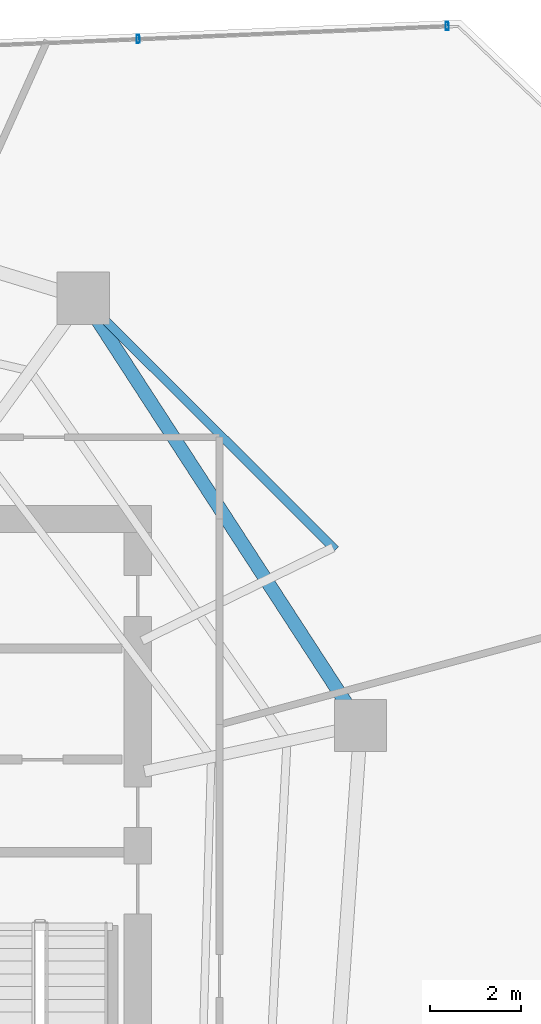
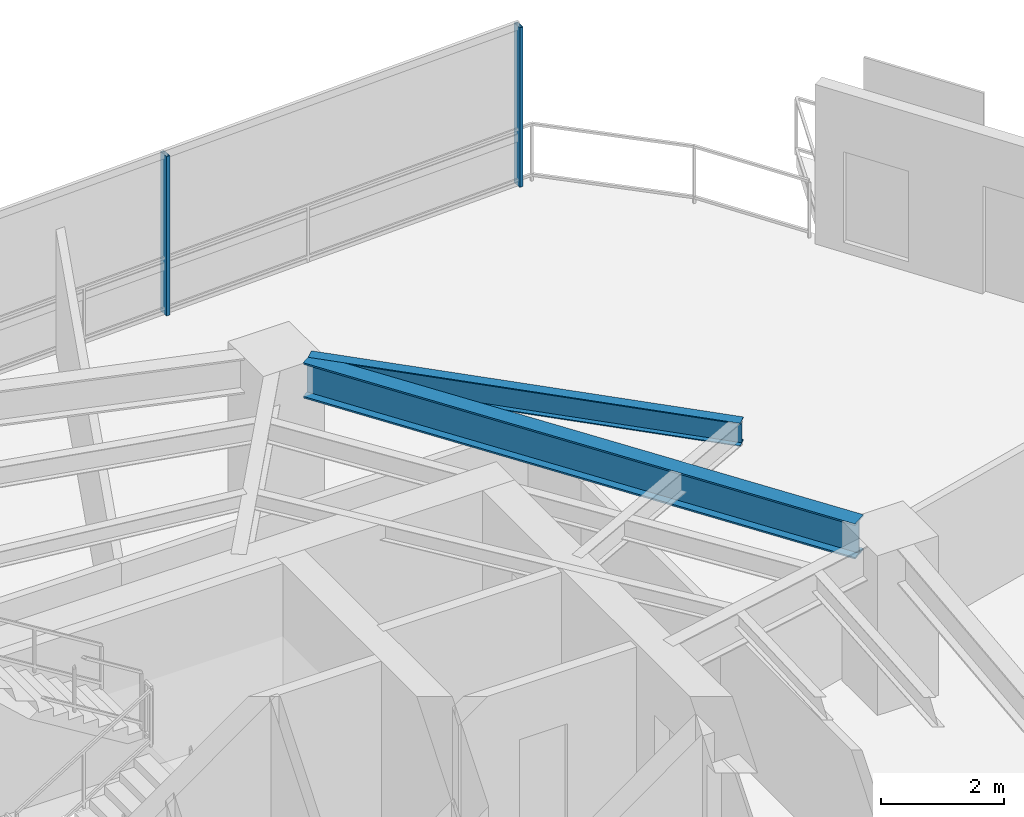
# One storey, part 19 of 25: 2 beams, 2 members, 1 element without a shape of its own.
"""IFC4 building model written with IfcOpenShell, lengths in metres."""

from ifc_helpers import new_model, si_unit, direction, frame, origin, origin_2d, place, context, subcontext, project, spatial, hollow_rectangle, i_section, extrude, material, layer, layer_set, material_profile, profile_set, type_object, element, aggregate, save


model = new_model("IFC4")

# Units and contexts
model_context = context("Model", 3, precision=1e-05, world=origin(), true_north=direction((0.0, 1.0)))
body_context = subcontext(model_context, "Body", "Model", "MODEL_VIEW")
ifc_project = project(units=[si_unit("LENGTHUNIT", "METRE"), si_unit("AREAUNIT", "SQUARE_METRE"), si_unit("VOLUMEUNIT", "CUBIC_METRE"), si_unit("PLANEANGLEUNIT", "RADIAN"), si_unit("MASSUNIT", "GRAM", prefix="KILO")], contexts=[model_context])

# Site, building, storey
site_placement = place(None, origin())
site = spatial("IfcSite", under=ifc_project, at=site_placement, CompositionType="ELEMENT")
building_placement = place(site_placement, origin())
building = spatial("IfcBuilding", under=site, at=building_placement, Name="Qarnah Convention Tower", CompositionType="ELEMENT")
storey_placement = place(building_placement, frame((0.0, 0.0, 76.35009765625)))
storey = spatial("IfcBuildingStorey", under=building, at=storey_placement, Name="L19", CompositionType="ELEMENT", Elevation=76.35009765625)

# Beams
ifc_material_1 = material(Name="Structural steel S355JR", Category="steel")
ifc_material_profile_1 = material_profile(ifc_material_1, i_section(OverallWidth=0.19189453125, OverallDepth=0.464111328125, WebThickness=0.010986328125, FlangeThickness=0.01806640625, at=origin_2d()), Name="W460X89")
ifc_profile_set_1 = profile_set([ifc_material_profile_1], Name="Structural steel S355JR")
beam_type_1 = type_object("IfcBeamType", Name="BM-CANT-W460A", PredefinedType="BEAM", material=ifc_profile_set_1)
beam_1_placement = place(storey_placement, frame((51.952880859375, 33.52099609375, 2.93798828125), z_axis=(-0.707978220507, 0.706234266577, 0.0), x_axis=(-0.706234266577, -0.707978220507, 0.0)))
element("IfcBeam", 1, at=beam_1_placement, inside=storey, type_object=beam_type_1, Name="L19 spandrel BM-L19-CTIE-01", PredefinedType="SPANDREL", context=body_context, shape_type="SweptSolid", body=[
    extrude(i_section(OverallWidth=0.19189453125, OverallDepth=0.464111328125, WebThickness=0.010986328125, FlangeThickness=0.01806640625, at=origin_2d()), origin(), (0.0, 0.0, 1.0), 7.279541015625),
])
ifc_material_profile_2 = material_profile(ifc_material_1, i_section(OverallWidth=0.300048828125, OverallDepth=0.699951171875, WebThickness=0.01708984375, FlangeThickness=0.031982421875, at=origin_2d()), Name="HEB700")
ifc_profile_set_2 = profile_set([ifc_material_profile_2], Name="Structural steel S355JR")
beam_type_2 = type_object("IfcBeamType", Name="BM-RING-HEB700", PredefinedType="BEAM", material=ifc_profile_set_2)
beam_2_placement = place(storey_placement, frame((52.199951171875, 30.1279296875, 2.81982421875), z_axis=(-0.544610528714, 0.838689079465, 0.0), x_axis=(-0.838689079465, -0.544610528714, 0.0)))
element("IfcBeam", 2, at=beam_2_placement, inside=storey, type_object=beam_type_2, Name="L19 beam BM-L19-SPN-01", PredefinedType="BEAM", context=body_context, shape_type="SweptSolid", body=[
    extrude(i_section(OverallWidth=0.300048828125, OverallDepth=0.699951171875, WebThickness=0.01708984375, FlangeThickness=0.031982421875, at=origin_2d()), origin(), (0.0, 0.0, 1.0), 10.0859375),
])

# Curtain wall, members
ifc_material_2 = material(Name="Tempered Low-E dark glass", Category="glass")
ifc_layer = layer(ifc_material_2, 0.169921875)
ifc_layer_set = layer_set([ifc_layer], Name="Tempered Low-E dark glass")
curtain_wall_type = type_object("IfcCurtainWallType", Name="CWS-02", PredefinedType="NOTDEFINED", material=ifc_layer_set)
curtain_wall_placement = place(storey_placement, origin())
curtain_wall = element("IfcCurtainWall", 3, at=curtain_wall_placement, inside=storey, type_object=curtain_wall_type, Name="L19 unitised curtain wall CW-L19-F4", PredefinedType="NOTDEFINED")
ifc_material_3 = material(Name="Black anodised aluminium", Category="aluminium")
ifc_material_profile_3 = material_profile(ifc_material_3, hollow_rectangle(XDim=0.06494140625, YDim=0.179931640625, WallThickness=0.00390625, at=origin_2d()), Name="MUL-65X180")
ifc_profile_set_3 = profile_set([ifc_material_profile_3], Name="Black anodised aluminium")
member_type = type_object("IfcMemberType", Name="MUL-T2", PredefinedType="MULLION", material=ifc_profile_set_3)
member_1_placement = place(storey_placement, frame((47.609375, 44.770751953125, 0.0), z_axis=(0.0, 0.0, 1.0), x_axis=(0.999123070538, 0.041869916632, 0.0)))
member_1 = element("IfcMember", 4, at=member_1_placement, type_object=member_type, Name="CW-L19-F4 mullion 5", PredefinedType="MULLION", context=body_context, shape_type="SweptSolid", body=[
    extrude(hollow_rectangle(XDim=0.06494140625, YDim=0.179931640625, WallThickness=0.00390625, at=origin_2d()), origin(), (0.0, 0.0, 1.0), 3.169921875),
])
member_2_placement = place(storey_placement, frame((54.4150390625, 45.055908203125, 0.0), z_axis=(0.0, 0.0, 1.0), x_axis=(0.999123070538, 0.041869916632, 0.0)))
member_2 = element("IfcMember", 5, at=member_2_placement, type_object=member_type, Name="CW-L19-F4 mullion 6", PredefinedType="MULLION", context=body_context, shape_type="SweptSolid", body=[
    extrude(hollow_rectangle(XDim=0.06494140625, YDim=0.179931640625, WallThickness=0.00390625, at=origin_2d()), origin(), (0.0, 0.0, 1.0), 3.169921875),
])
aggregate(curtain_wall, [member_1, member_2])

save(model, "model.ifc")
